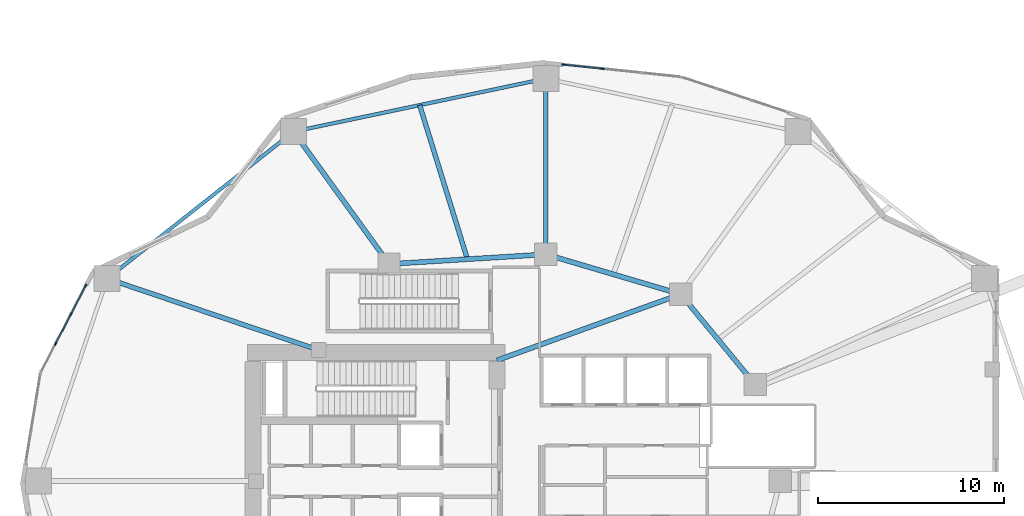
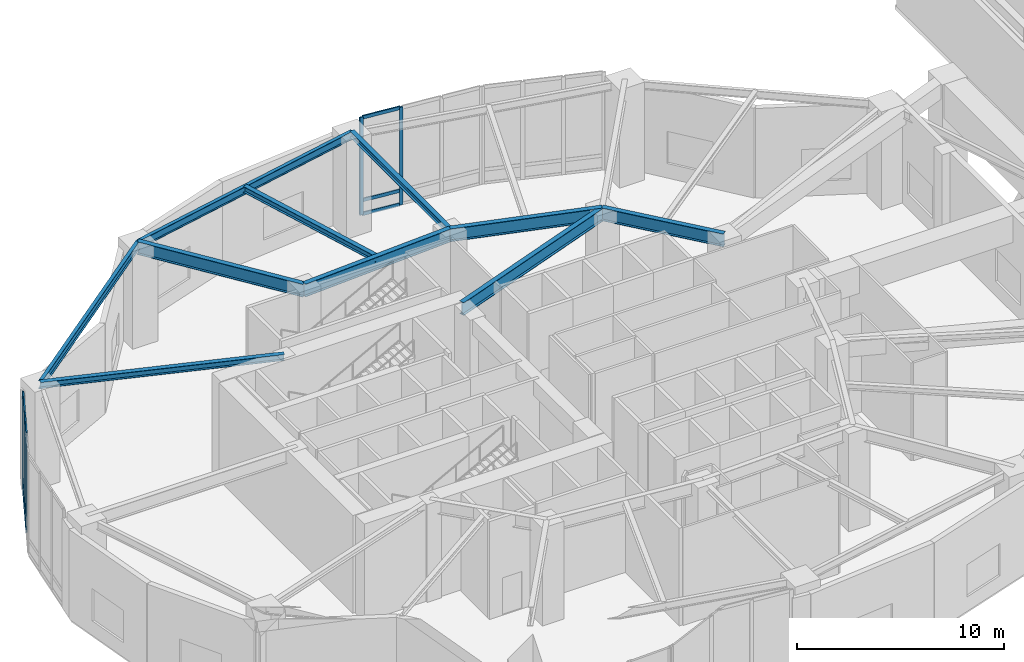
# One storey, part 8 of 25: 14 members, 10 beams, 2 elements without a shape of their own.
"""IFC4 building model written with IfcOpenShell, lengths in metres."""

from ifc_helpers import new_model, si_unit, direction, frame, origin, origin_2d, place, context, subcontext, project, spatial, rectangle, i_section, extrude, material, layer, layer_set, material_profile, profile_set, type_object, element, aggregate, save


model = new_model("IFC4")

# Units and contexts
model_context = context("Model", 3, precision=1e-05, world=origin(), true_north=direction((0.0, 1.0)))
body_context = subcontext(model_context, "Body", "Model", "MODEL_VIEW")
ifc_project = project(units=[si_unit("LENGTHUNIT", "METRE"), si_unit("AREAUNIT", "SQUARE_METRE"), si_unit("VOLUMEUNIT", "CUBIC_METRE"), si_unit("PLANEANGLEUNIT", "RADIAN"), si_unit("MASSUNIT", "GRAM", prefix="KILO")], contexts=[model_context])

# Site, building, storey
site_placement = place(None, origin())
site = spatial("IfcSite", under=ifc_project, at=site_placement, CompositionType="ELEMENT")
building_placement = place(site_placement, origin())
building = spatial("IfcBuilding", under=site, at=building_placement, Name="Kolvaren Gate Tower and Convention Centre", CompositionType="ELEMENT")
storey_placement = place(building_placement, frame((0.0, 0.0, 15.0)))
storey = spatial("IfcBuildingStorey", under=building, at=storey_placement, Name="L03", CompositionType="ELEMENT", Elevation=15.0)

# Curtain wall, members
ifc_material_1 = material(Name="Anodized Architectural Aluminium Alloy 6063-T6", Category="aluminium")
ifc_layer = layer(ifc_material_1, 0.179931640625)
ifc_layer_set = layer_set([ifc_layer], Name="Anodized Architectural Aluminium Alloy 6063-T6")
curtain_wall_type = type_object("IfcCurtainWallType", Name="CW-POD-GLZ", PredefinedType="NOTDEFINED", material=ifc_layer_set)
curtain_wall_1_placement = place(storey_placement, origin())
curtain_wall_1 = element("IfcCurtainWall", 1, at=curtain_wall_1_placement, inside=storey, type_object=curtain_wall_type, Name="Tower L03 Unitised Curtain Wall CW-POD-GLZ Bay 05", PredefinedType="NOTDEFINED")
ifc_material_profile_1 = material_profile(ifc_material_1, rectangle(XDim=0.074951171875, YDim=0.199951171875, at=origin_2d()), Name="CW-MEM-MUL-200")
ifc_profile_set_1 = profile_set([ifc_material_profile_1], Name="Anodized Architectural Aluminium Alloy 6063-T6")
member_type_1 = type_object("IfcMemberType", Name="CW-MEM-MUL-200", PredefinedType="MULLION", material=ifc_profile_set_1)
member_1_placement = place(storey_placement, frame((31.086181640625, 49.398681640625, 0.0), z_axis=(0.0, 0.0, 1.0), x_axis=(0.104748319841, 0.994498762941, 0.0)))
member_1 = element("IfcMember", 2, at=member_1_placement, type_object=member_type_1, Name="CW-01 mullion 1", PredefinedType="MULLION", context=body_context, shape_type="SweptSolid", body=[
    extrude(rectangle(XDim=0.074951171875, YDim=0.199951171875, at=origin_2d()), origin(), (0.0, 0.0, 1.0), 5.760009765625),
])
member_2_placement = place(storey_placement, frame((33.16748046875, 49.1796875, 0.0), z_axis=(0.0, 0.0, 1.0), x_axis=(0.104748319841, 0.994498762941, 0.0)))
member_2 = element("IfcMember", 3, at=member_2_placement, type_object=member_type_1, Name="CW-01 mullion 2", PredefinedType="MULLION", context=body_context, shape_type="SweptSolid", body=[
    extrude(rectangle(XDim=0.074951171875, YDim=0.199951171875, at=origin_2d()), origin(), (0.0, 0.0, 1.0), 5.760009765625),
])

curtain_wall_2_placement = place(storey_placement, origin())
curtain_wall_2 = element("IfcCurtainWall", 4, at=curtain_wall_2_placement, inside=storey, type_object=curtain_wall_type, Name="Tower L03 Unitised Curtain Wall CW-POD-GLZ Bay 10", PredefinedType="NOTDEFINED")
member_3_placement = place(storey_placement, frame((3.77197265625, 34.39501953125, 0.0), z_axis=(0.0, 0.0, 1.0), x_axis=(-0.888028058024, 0.459789264949, 0.0)))
member_3 = element("IfcMember", 5, at=member_3_placement, type_object=member_type_1, Name="CW-01 mullion 2", PredefinedType="MULLION", context=body_context, shape_type="SweptSolid", body=[
    extrude(rectangle(XDim=0.074951171875, YDim=0.199951171875, at=origin_2d()), origin(), (0.0, 0.0, 1.0), 5.760009765625),
])
member_4_placement = place(storey_placement, frame((4.585693359375, 35.96630859375, 0.0), z_axis=(0.0, 0.0, 1.0), x_axis=(-0.888028058024, 0.459789264949, 0.0)))
member_4 = element("IfcMember", 6, at=member_4_placement, type_object=member_type_1, Name="CW-01 mullion 3", PredefinedType="MULLION", context=body_context, shape_type="SweptSolid", body=[
    extrude(rectangle(XDim=0.074951171875, YDim=0.199951171875, at=origin_2d()), origin(), (0.0, 0.0, 1.0), 5.760009765625),
])
member_5_placement = place(storey_placement, frame((5.382080078125, 37.504638671875, 0.0), z_axis=(0.0, 0.0, 1.0), x_axis=(-0.888028058024, 0.459789264949, 0.0)))
member_5 = element("IfcMember", 7, at=member_5_placement, type_object=member_type_1, Name="CW-01 mullion 4", PredefinedType="MULLION", context=body_context, shape_type="SweptSolid", body=[
    extrude(rectangle(XDim=0.074951171875, YDim=0.199951171875, at=origin_2d()), origin(), (0.0, 0.0, 1.0), 5.760009765625),
])

# Member
ifc_material_profile_2 = material_profile(ifc_material_1, rectangle(XDim=0.074951171875, YDim=0.199951171875, at=origin_2d()), Name="CW-MEM-TRN-200")
ifc_profile_set_2 = profile_set([ifc_material_profile_2], Name="Anodized Architectural Aluminium Alloy 6063-T6")
member_type_2 = type_object("IfcMemberType", Name="CW-MEM-TRN-200", PredefinedType="USERDEFINED", material=ifc_profile_set_2)
member_6_placement = place(storey_placement, frame((31.12353515625, 49.394775390625, 0.03759765625), z_axis=(0.9945074418, -0.104665888448, 0.0), x_axis=(0.104665888448, 0.9945074418, 0.0)))
member_6 = element("IfcMember", 8, at=member_6_placement, type_object=member_type_2, Name="CW-01 transom 1.1", ObjectType="TRANSOM", PredefinedType="USERDEFINED", context=body_context, shape_type="SweptSolid", body=[
    extrude(rectangle(XDim=0.074951171875, YDim=0.199951171875, at=origin_2d()), origin(), (0.0, 0.0, 1.0), 2.017578125),
])

member_7_placement = place(storey_placement, frame((31.12353515625, 49.394775390625, 0.85009765625), z_axis=(0.9945074418, -0.104665888448, 0.0), x_axis=(0.104665888448, 0.9945074418, 0.0)))
member_7 = element("IfcMember", 9, at=member_7_placement, type_object=member_type_2, Name="CW-01 transom 1.2", ObjectType="TRANSOM", PredefinedType="USERDEFINED", context=body_context, shape_type="SweptSolid", body=[
    extrude(rectangle(XDim=0.074951171875, YDim=0.199951171875, at=origin_2d()), origin(), (0.0, 0.0, 1.0), 2.017578125),
])

member_8_placement = place(storey_placement, frame((31.12353515625, 49.394775390625, 5.722412109375), z_axis=(0.9945074418, -0.104665888448, 0.0), x_axis=(0.104665888448, 0.9945074418, 0.0)))
member_8 = element("IfcMember", 10, at=member_8_placement, type_object=member_type_2, Name="CW-01 transom 1.3", ObjectType="TRANSOM", PredefinedType="USERDEFINED", context=body_context, shape_type="SweptSolid", body=[
    extrude(rectangle(XDim=0.074951171875, YDim=0.199951171875, at=origin_2d()), origin(), (0.0, 0.0, 1.0), 2.017578125),
])

aggregate(curtain_wall_1, [member_1, member_2, member_6, member_7, member_8])

member_9_placement = place(storey_placement, frame((3.789306640625, 34.42822265625, 0.03759765625), z_axis=(0.459732523295, 0.888057434531, 0.0), x_axis=(-0.888057434531, 0.459732523295, 0.0)))
member_9 = element("IfcMember", 11, at=member_9_placement, type_object=member_type_2, Name="CW-01 transom 2.1", ObjectType="TRANSOM", PredefinedType="USERDEFINED", context=body_context, shape_type="SweptSolid", body=[
    extrude(rectangle(XDim=0.074951171875, YDim=0.199951171875, at=origin_2d()), origin(), (0.0, 0.0, 1.0), 1.694580078125),
])

member_10_placement = place(storey_placement, frame((3.789306640625, 34.42822265625, 0.85009765625), z_axis=(0.459732523295, 0.888057434531, 0.0), x_axis=(-0.888057434531, 0.459732523295, 0.0)))
member_10 = element("IfcMember", 12, at=member_10_placement, type_object=member_type_2, Name="CW-01 transom 2.2", ObjectType="TRANSOM", PredefinedType="USERDEFINED", context=body_context, shape_type="SweptSolid", body=[
    extrude(rectangle(XDim=0.074951171875, YDim=0.199951171875, at=origin_2d()), origin(), (0.0, 0.0, 1.0), 1.694580078125),
])

member_11_placement = place(storey_placement, frame((3.789306640625, 34.42822265625, 5.722412109375), z_axis=(0.459732523295, 0.888057434531, 0.0), x_axis=(-0.888057434531, 0.459732523295, 0.0)))
member_11 = element("IfcMember", 13, at=member_11_placement, type_object=member_type_2, Name="CW-01 transom 2.3", ObjectType="TRANSOM", PredefinedType="USERDEFINED", context=body_context, shape_type="SweptSolid", body=[
    extrude(rectangle(XDim=0.074951171875, YDim=0.199951171875, at=origin_2d()), origin(), (0.0, 0.0, 1.0), 1.694580078125),
])

member_12_placement = place(storey_placement, frame((4.602783203125, 35.999755859375, 0.03759765625), z_axis=(0.459839725039, 0.88800192977, 0.0), x_axis=(-0.88800192977, 0.459839725039, 0.0)))
member_12 = element("IfcMember", 14, at=member_12_placement, type_object=member_type_2, Name="CW-01 transom 3.1", ObjectType="TRANSOM", PredefinedType="USERDEFINED", context=body_context, shape_type="SweptSolid", body=[
    extrude(rectangle(XDim=0.074951171875, YDim=0.199951171875, at=origin_2d()), origin(), (0.0, 0.0, 1.0), 1.656982421875),
])

member_13_placement = place(storey_placement, frame((4.602783203125, 35.999755859375, 0.85009765625), z_axis=(0.459839725039, 0.88800192977, 0.0), x_axis=(-0.88800192977, 0.459839725039, 0.0)))
member_13 = element("IfcMember", 15, at=member_13_placement, type_object=member_type_2, Name="CW-01 transom 3.2", ObjectType="TRANSOM", PredefinedType="USERDEFINED", context=body_context, shape_type="SweptSolid", body=[
    extrude(rectangle(XDim=0.074951171875, YDim=0.199951171875, at=origin_2d()), origin(), (0.0, 0.0, 1.0), 1.656982421875),
])

member_14_placement = place(storey_placement, frame((4.602783203125, 35.999755859375, 5.722412109375), z_axis=(0.459839725039, 0.88800192977, 0.0), x_axis=(-0.88800192977, 0.459839725039, 0.0)))
member_14 = element("IfcMember", 16, at=member_14_placement, type_object=member_type_2, Name="CW-01 transom 3.3", ObjectType="TRANSOM", PredefinedType="USERDEFINED", context=body_context, shape_type="SweptSolid", body=[
    extrude(rectangle(XDim=0.074951171875, YDim=0.199951171875, at=origin_2d()), origin(), (0.0, 0.0, 1.0), 1.656982421875),
])

aggregate(curtain_wall_2, [member_3, member_4, member_5, member_9, member_10, member_11, member_12, member_13, member_14])

# Beams
ifc_material_2 = material(Name="Structural steel ASTM A992 Grade 345 MPa", Category="steel")
ifc_material_profile_3 = material_profile(ifc_material_2, i_section(OverallWidth=0.26806640625, OverallDepth=0.758056640625, WebThickness=0.016357421875, FlangeThickness=0.025390625, at=origin_2d()), Name="W760X220")
ifc_profile_set_3 = profile_set([ifc_material_profile_3], Name="Structural steel ASTM A992 Grade 345 MPa")
beam_type_1 = type_object("IfcBeamType", Name="STR-BM-W760X220", PredefinedType="BEAM", material=ifc_profile_set_3)
beam_1_placement = place(storey_placement, frame((41.382080078125, 32.199462890625, 5.381103515625), z_axis=(-0.635884066011, 0.771784590798, 0.0), x_axis=(-0.771784590798, -0.635884066011, 0.0)))
element("IfcBeam", 17, at=beam_1_placement, inside=storey, type_object=beam_type_1, Name="Tower L03 Primary Ring Girder G-02", PredefinedType="BEAM", context=body_context, shape_type="SweptSolid", body=[
    extrude(i_section(OverallWidth=0.26806640625, OverallDepth=0.758056640625, WebThickness=0.016357421875, FlangeThickness=0.025390625, at=origin_2d()), origin(), (0.0, 0.0, 1.0), 6.291259765625),
])
beam_2_placement = place(storey_placement, frame((37.381591796875, 37.054931640625, 5.381103515625), z_axis=(-0.958980837827, 0.283470902706, 0.0), x_axis=(-0.283470902706, -0.958980837827, 0.0)))
element("IfcBeam", 18, at=beam_2_placement, inside=storey, type_object=beam_type_1, Name="Tower L03 Primary Ring Girder G-03", PredefinedType="BEAM", context=body_context, shape_type="SweptSolid", body=[
    extrude(i_section(OverallWidth=0.26806640625, OverallDepth=0.758056640625, WebThickness=0.016357421875, FlangeThickness=0.025390625, at=origin_2d()), origin(), (0.0, 0.0, 1.0), 7.56689453125),
])
beam_3_placement = place(storey_placement, frame((30.125, 39.199951171875, 5.381103515625), z_axis=(-0.998078258568, -0.06196603726, 0.0), x_axis=(0.06196603726, -0.998078258568, 0.0)))
element("IfcBeam", 19, at=beam_3_placement, inside=storey, type_object=beam_type_1, Name="Tower L03 Primary Ring Girder G-04", PredefinedType="BEAM", context=body_context, shape_type="SweptSolid", body=[
    extrude(i_section(OverallWidth=0.26806640625, OverallDepth=0.758056640625, WebThickness=0.016357421875, FlangeThickness=0.025390625, at=origin_2d()), origin(), (0.0, 0.0, 1.0), 8.443115234375),
])
beam_4_placement = place(storey_placement, frame((27.5, 33.5, 5.381103515625), z_axis=(0.940961479908, 0.338513653093, 0.0), x_axis=(-0.338513653093, 0.940961479908, 0.0)))
element("IfcBeam", 20, at=beam_4_placement, inside=storey, type_object=beam_type_1, Name="Tower L03 Primary Ring Girder G-10", PredefinedType="BEAM", context=body_context, shape_type="SweptSolid", body=[
    extrude(i_section(OverallWidth=0.26806640625, OverallDepth=0.758056640625, WebThickness=0.016357421875, FlangeThickness=0.025390625, at=origin_2d()), origin(), (0.0, 0.0, 1.0), 10.501708984375),
])
beam_5_placement = place(storey_placement, frame((21.697998046875, 38.6767578125, 5.381103515625), z_axis=(-0.585208283095, 0.810883015852, 0.0), x_axis=(-0.810883015852, -0.585208283095, 0.0)))
element("IfcBeam", 21, at=beam_5_placement, inside=storey, type_object=beam_type_1, Name="Tower L03 Radial Floor Girder RB-05", PredefinedType="BEAM", context=body_context, shape_type="SweptSolid", body=[
    extrude(i_section(OverallWidth=0.26806640625, OverallDepth=0.758056640625, WebThickness=0.016357421875, FlangeThickness=0.025390625, at=origin_2d()), origin(), (0.0, 0.0, 1.0), 8.780029296875),
])
ifc_material_profile_4 = material_profile(ifc_material_2, i_section(OverallWidth=0.2548828125, OverallDepth=0.35693359375, WebThickness=0.010498046875, FlangeThickness=0.018310546875, at=origin_2d()), Name="W360X101")
ifc_profile_set_4 = profile_set([ifc_material_profile_4], Name="Structural steel ASTM A992 Grade 345 MPa")
beam_type_2 = type_object("IfcBeamType", Name="STR-JS-W360X101", PredefinedType="JOIST", material=ifc_profile_set_4)
beam_6_placement = place(storey_placement, frame((30.125, 39.199951171875, 5.58154296875), z_axis=(0.0, 1.0, 0.0), x_axis=(-1.0, 0.0, 0.0)))
element("IfcBeam", 22, at=beam_6_placement, inside=storey, type_object=beam_type_2, Name="Tower L03 Radial Floor Girder RB-04", PredefinedType="JOIST", context=body_context, shape_type="SweptSolid", body=[
    extrude(i_section(OverallWidth=0.2548828125, OverallDepth=0.35693359375, WebThickness=0.010498046875, FlangeThickness=0.018310546875, at=origin_2d()), origin(), (0.0, 0.0, 1.0), 9.449951171875),
])
beam_7_placement = place(storey_placement, frame((17.9140625, 34.050048828125, 5.58154296875), z_axis=(-0.947373842609, 0.320129352512, 0.0), x_axis=(-0.320129352512, -0.947373842609, 0.0)))
element("IfcBeam", 23, at=beam_7_placement, inside=storey, type_object=beam_type_2, Name="Tower L03 Radial Floor Girder RB-06", PredefinedType="JOIST", context=body_context, shape_type="SweptSolid", body=[
    extrude(i_section(OverallWidth=0.2548828125, OverallDepth=0.35693359375, WebThickness=0.010498046875, FlangeThickness=0.018310546875, at=origin_2d()), origin(), (0.0, 0.0, 1.0), 12.006103515625),
])
beam_8_placement = place(storey_placement, frame((25.91162109375, 38.938232421875, 5.58154296875), z_axis=(-0.296205333134, 0.955124285433, 0.0), x_axis=(-0.955124285433, -0.296205333134, 0.0)))
element("IfcBeam", 24, at=beam_8_placement, inside=storey, type_object=beam_type_2, Name="Tower L03 Secondary Composite Floor Joist J-04.1", PredefinedType="JOIST", context=body_context, shape_type="SweptSolid", body=[
    extrude(i_section(OverallWidth=0.2548828125, OverallDepth=0.35693359375, WebThickness=0.010498046875, FlangeThickness=0.018310546875, at=origin_2d()), origin(), (0.0, 0.0, 1.0), 8.674072265625),
])
ifc_material_profile_5 = material_profile(ifc_material_2, i_section(OverallWidth=0.194091796875, OverallDepth=0.468994140625, WebThickness=0.0126953125, FlangeThickness=0.0205078125, at=origin_2d()), Name="W460X106")
ifc_profile_set_5 = profile_set([ifc_material_profile_5], Name="Structural steel ASTM A992 Grade 345 MPa")
beam_type_3 = type_object("IfcBeamType", Name="STR-SP-W460X106", PredefinedType="SPANDREL", material=ifc_profile_set_5)
beam_9_placement = place(storey_placement, frame((30.125, 48.64990234375, 5.525390625), z_axis=(-0.978583407863, -0.205850707685, 0.0), x_axis=(0.205850707685, -0.978583407863, 0.0)))
element("IfcBeam", 25, at=beam_9_placement, inside=storey, type_object=beam_type_3, Name="Tower L03 Perimeter Spandrel Beam SP-04", PredefinedType="SPANDREL", context=body_context, shape_type="SweptSolid", body=[
    extrude(i_section(OverallWidth=0.194091796875, OverallDepth=0.468994140625, WebThickness=0.0126953125, FlangeThickness=0.0205078125, at=origin_2d()), origin(), (0.0, 0.0, 1.0), 13.862060546875),
])
beam_10_placement = place(storey_placement, frame((16.559814453125, 45.79638671875, 5.525390625), z_axis=(-0.785176498861, -0.619272044933, 0.0), x_axis=(0.619272044933, -0.785176498861, 0.0)))
element("IfcBeam", 26, at=beam_10_placement, inside=storey, type_object=beam_type_3, Name="Tower L03 Perimeter Spandrel Beam SP-05", PredefinedType="SPANDREL", context=body_context, shape_type="SweptSolid", body=[
    extrude(i_section(OverallWidth=0.194091796875, OverallDepth=0.468994140625, WebThickness=0.0126953125, FlangeThickness=0.0205078125, at=origin_2d()), origin(), (0.0, 0.0, 1.0), 12.761474609375),
])

save(model, "model.ifc")
